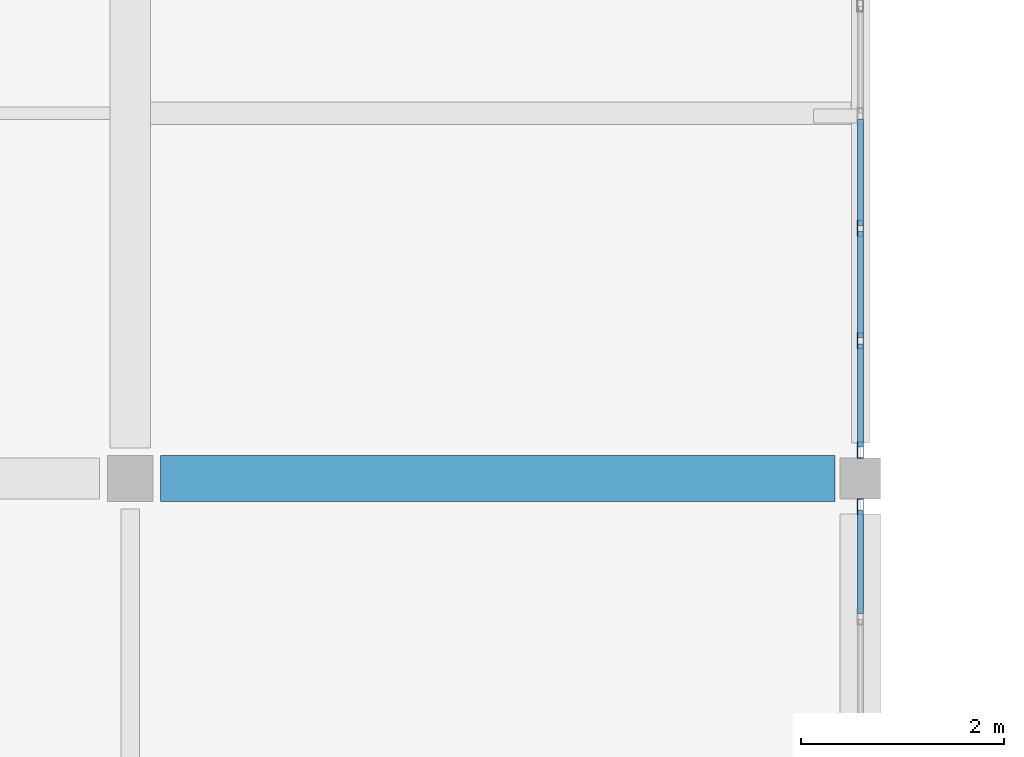
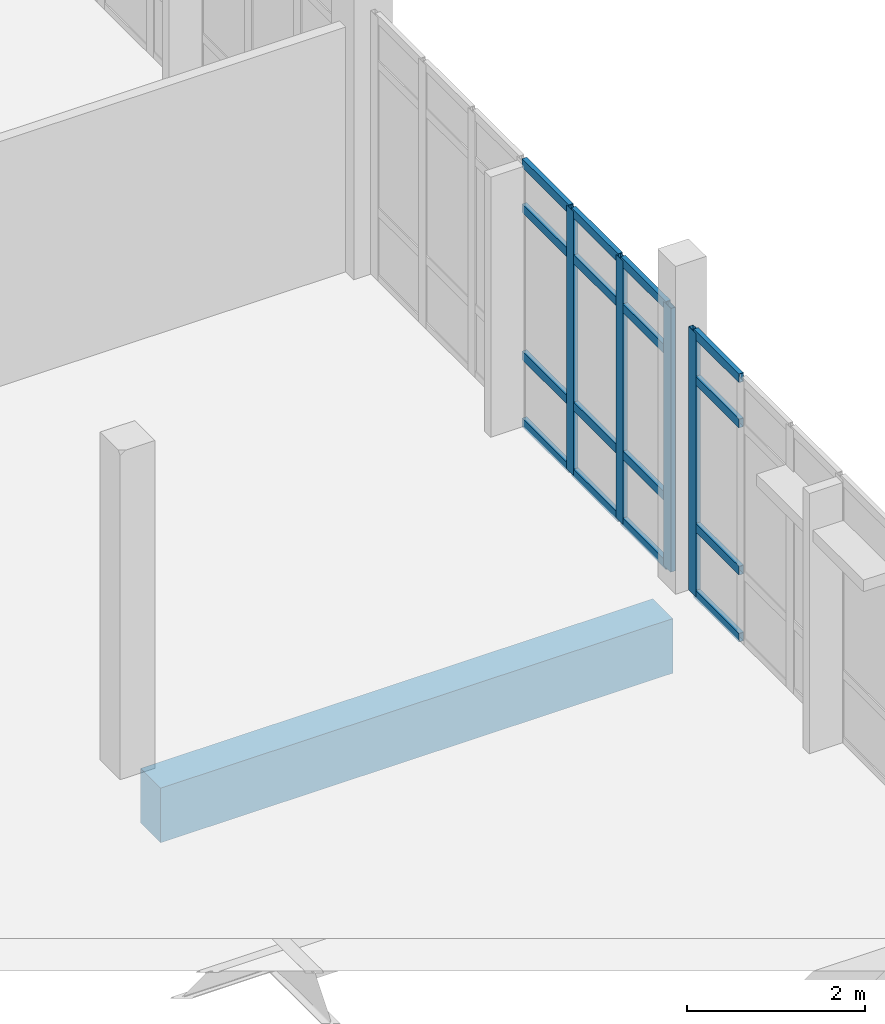
# One storey, part 12 of 62: 20 members, 1 beam, 2 elements without a shape of their own.
"""IFC4 building model written with IfcOpenShell, lengths in metres."""

from ifc_helpers import new_model, si_unit, direction, frame, origin, origin_2d, place, context, subcontext, project, spatial, rectangle, hollow_rectangle, extrude, material, material_profile, profile_set, type_object, element, aggregate, save


model = new_model("IFC4")

# Units and contexts
model_context = context("Model", 3, precision=1e-05, world=origin(), true_north=direction((0.0, 1.0)))
body_context = subcontext(model_context, "Body", "Model", "MODEL_VIEW")
ifc_project = project(units=[si_unit("LENGTHUNIT", "METRE"), si_unit("AREAUNIT", "SQUARE_METRE"), si_unit("VOLUMEUNIT", "CUBIC_METRE"), si_unit("PLANEANGLEUNIT", "RADIAN"), si_unit("MASSUNIT", "GRAM", prefix="KILO")], contexts=[model_context])

# Site, building, storey
site_placement = place(None, origin())
site = spatial("IfcSite", under=ifc_project, at=site_placement, CompositionType="ELEMENT")
building_placement = place(site_placement, origin())
building = spatial("IfcBuilding", under=site, at=building_placement, Name="Kalluvel Institute of Natural Sciences", CompositionType="ELEMENT")
storey_placement = place(building_placement, frame((0.0, 0.0, 27.89990234375)))
storey = spatial("IfcBuildingStorey", under=building, at=storey_placement, Name="L06", CompositionType="ELEMENT", Elevation=27.89990234375)

# Beam
ifc_material_1 = material(Name="Concrete M40", Category="concrete")
ifc_material_profile_1 = material_profile(ifc_material_1, rectangle(XDim=0.449951171875, YDim=0.75, at=origin_2d()), Name="RCB 450x750")
ifc_profile_set_1 = profile_set([ifc_material_profile_1], Name="Concrete M40")
beam_type = type_object("IfcBeamType", Name="BM-RC450x750", PredefinedType="BEAM", material=ifc_profile_set_1)
beam_placement = place(storey_placement, frame((28.699951171875, 57.199951171875, -0.6748046875), z_axis=(1.0, 0.0, 0.0), x_axis=(0.0, 1.0, 0.0)))
element("IfcBeam", 1, at=beam_placement, inside=storey, type_object=beam_type, Name="L06 girder GIR-L06-EW-X284-Y572", PredefinedType="BEAM", context=body_context, shape_type="SweptSolid", body=[
    extrude(rectangle(XDim=0.449951171875, YDim=0.75, at=origin_2d()), origin(), (0.0, 0.0, 1.0), 6.650146484375),
])

# Curtain wall, member
ifc_material_2 = material(Name="Aluminium AW-6063 T6", Category="aluminium")
curtain_wall_type = type_object("IfcCurtainWallType", Name="CW-DRY-45", PredefinedType="USERDEFINED", material=ifc_material_2)
curtain_wall_1_placement = place(storey_placement, origin())
curtain_wall_1 = element("IfcCurtainWall", 2, at=curtain_wall_1_placement, inside=storey, type_object=curtain_wall_type, Name="L06 Gothic lancet curtain wall CWA-L06-X356-Y503", ObjectType="UNITISED LANCET FACADE", PredefinedType="USERDEFINED")
ifc_material_profile_2 = material_profile(ifc_material_2, hollow_rectangle(XDim=0.06005859375, YDim=0.159912109375, WallThickness=0.00390625, at=origin_2d()), Name="CWM 60x160")
ifc_profile_set_2 = profile_set([ifc_material_profile_2], Name="Aluminium AW-6063 T6")
member_type_1 = type_object("IfcMemberType", Name="CWM-60x160", PredefinedType="MULLION", material=ifc_profile_set_2)
member_1_placement = place(storey_placement, frame((35.60009765625, 56.919921875, 0.0), z_axis=(0.0, 0.0, 1.0), x_axis=(-1.0, 0.0, 0.0)))
member_1 = element("IfcMember", 3, at=member_1_placement, type_object=member_type_1, Name="CW-03 mullion 7", PredefinedType="MULLION", context=body_context, shape_type="SweptSolid", body=[
    extrude(hollow_rectangle(XDim=0.06005859375, YDim=0.159912109375, WallThickness=0.00390625, at=origin_2d()), origin(), (0.0, 0.0, 1.0), 3.6201171875),
])

# Curtain wall, members
curtain_wall_2_placement = place(storey_placement, origin())
curtain_wall_2 = element("IfcCurtainWall", 4, at=curtain_wall_2_placement, inside=storey, type_object=curtain_wall_type, Name="L06 Gothic lancet curtain wall CWA-L06-X356-Y574", ObjectType="UNITISED LANCET FACADE", PredefinedType="USERDEFINED")
member_2_placement = place(storey_placement, frame((35.60009765625, 57.47998046875, 0.0), z_axis=(0.0, 0.0, 1.0), x_axis=(-1.0, 0.0, 0.0)))
member_2 = element("IfcMember", 5, at=member_2_placement, type_object=member_type_1, Name="CW-03 mullion 1", PredefinedType="MULLION", context=body_context, shape_type="SweptSolid", body=[
    extrude(hollow_rectangle(XDim=0.06005859375, YDim=0.159912109375, WallThickness=0.00390625, at=origin_2d()), origin(), (0.0, 0.0, 1.0), 3.6201171875),
])
member_3_placement = place(storey_placement, frame((35.60009765625, 58.558349609375, 0.0), z_axis=(0.0, 0.0, 1.0), x_axis=(-1.0, 0.0, 0.0)))
member_3 = element("IfcMember", 6, at=member_3_placement, type_object=member_type_1, Name="CW-03 mullion 2", PredefinedType="MULLION", context=body_context, shape_type="SweptSolid", body=[
    extrude(hollow_rectangle(XDim=0.06005859375, YDim=0.159912109375, WallThickness=0.00390625, at=origin_2d()), origin(), (0.0, 0.0, 1.0), 3.6201171875),
])
member_4_placement = place(storey_placement, frame((35.60009765625, 59.666748046875, 0.0), z_axis=(0.0, 0.0, 1.0), x_axis=(-1.0, 0.0, 0.0)))
member_4 = element("IfcMember", 7, at=member_4_placement, type_object=member_type_1, Name="CW-03 mullion 3", PredefinedType="MULLION", context=body_context, shape_type="SweptSolid", body=[
    extrude(hollow_rectangle(XDim=0.06005859375, YDim=0.159912109375, WallThickness=0.00390625, at=origin_2d()), origin(), (0.0, 0.0, 1.0), 3.6201171875),
])

# Member
ifc_material_profile_3 = material_profile(ifc_material_2, hollow_rectangle(XDim=0.06005859375, YDim=0.1201171875, WallThickness=0.00390625, at=origin_2d()), Name="CWT 60x120")
ifc_profile_set_3 = profile_set([ifc_material_profile_3], Name="Aluminium AW-6063 T6")
member_type_2 = type_object("IfcMemberType", Name="CWT-60x120", PredefinedType="USERDEFINED", material=ifc_profile_set_3)
member_5_placement = place(storey_placement, frame((35.60009765625, 55.867431640625, 0.030029296875), z_axis=(0.0, 1.0, 0.0), x_axis=(-1.0, 0.0, 0.0)))
member_5 = element("IfcMember", 8, at=member_5_placement, type_object=member_type_2, Name="CW-03 transom 6.1", ObjectType="TRANSOM", PredefinedType="USERDEFINED", context=body_context, shape_type="SweptSolid", body=[
    extrude(hollow_rectangle(XDim=0.06005859375, YDim=0.1201171875, WallThickness=0.00390625, at=origin_2d()), origin(), (0.0, 0.0, 1.0), 1.0224609375),
])

member_6_placement = place(storey_placement, frame((35.60009765625, 55.867431640625, 0.9501953125), z_axis=(0.0, 1.0, 0.0), x_axis=(-1.0, 0.0, 0.0)))
member_6 = element("IfcMember", 9, at=member_6_placement, type_object=member_type_2, Name="CW-03 transom 6.2", ObjectType="TRANSOM", PredefinedType="USERDEFINED", context=body_context, shape_type="SweptSolid", body=[
    extrude(hollow_rectangle(XDim=0.06005859375, YDim=0.1201171875, WallThickness=0.00390625, at=origin_2d()), origin(), (0.0, 0.0, 1.0), 1.0224609375),
])

member_7_placement = place(storey_placement, frame((35.60009765625, 55.867431640625, 2.97021484375), z_axis=(0.0, 1.0, 0.0), x_axis=(-1.0, 0.0, 0.0)))
member_7 = element("IfcMember", 10, at=member_7_placement, type_object=member_type_2, Name="CW-03 transom 6.3", ObjectType="TRANSOM", PredefinedType="USERDEFINED", context=body_context, shape_type="SweptSolid", body=[
    extrude(hollow_rectangle(XDim=0.06005859375, YDim=0.1201171875, WallThickness=0.00390625, at=origin_2d()), origin(), (0.0, 0.0, 1.0), 1.0224609375),
])

member_8_placement = place(storey_placement, frame((35.60009765625, 55.867431640625, 3.590087890625), z_axis=(0.0, 1.0, 0.0), x_axis=(-1.0, 0.0, 0.0)))
member_8 = element("IfcMember", 11, at=member_8_placement, type_object=member_type_2, Name="CW-03 transom 6.4", ObjectType="TRANSOM", PredefinedType="USERDEFINED", context=body_context, shape_type="SweptSolid", body=[
    extrude(hollow_rectangle(XDim=0.06005859375, YDim=0.1201171875, WallThickness=0.00390625, at=origin_2d()), origin(), (0.0, 0.0, 1.0), 1.0224609375),
])

aggregate(curtain_wall_1, [member_1, member_5, member_6, member_7, member_8])

member_9_placement = place(storey_placement, frame((35.60009765625, 57.510009765625, 0.030029296875), z_axis=(0.0, 1.0, 0.0), x_axis=(-1.0, 0.0, 0.0)))
member_9 = element("IfcMember", 12, at=member_9_placement, type_object=member_type_2, Name="CW-03 transom 1.1", ObjectType="TRANSOM", PredefinedType="USERDEFINED", context=body_context, shape_type="SweptSolid", body=[
    extrude(hollow_rectangle(XDim=0.06005859375, YDim=0.1201171875, WallThickness=0.00390625, at=origin_2d()), origin(), (0.0, 0.0, 1.0), 1.018310546875),
])

member_10_placement = place(storey_placement, frame((35.60009765625, 57.510009765625, 0.9501953125), z_axis=(0.0, 1.0, 0.0), x_axis=(-1.0, 0.0, 0.0)))
member_10 = element("IfcMember", 13, at=member_10_placement, type_object=member_type_2, Name="CW-03 transom 1.2", ObjectType="TRANSOM", PredefinedType="USERDEFINED", context=body_context, shape_type="SweptSolid", body=[
    extrude(hollow_rectangle(XDim=0.06005859375, YDim=0.1201171875, WallThickness=0.00390625, at=origin_2d()), origin(), (0.0, 0.0, 1.0), 1.018310546875),
])

member_11_placement = place(storey_placement, frame((35.60009765625, 57.510009765625, 2.97021484375), z_axis=(0.0, 1.0, 0.0), x_axis=(-1.0, 0.0, 0.0)))
member_11 = element("IfcMember", 14, at=member_11_placement, type_object=member_type_2, Name="CW-03 transom 1.3", ObjectType="TRANSOM", PredefinedType="USERDEFINED", context=body_context, shape_type="SweptSolid", body=[
    extrude(hollow_rectangle(XDim=0.06005859375, YDim=0.1201171875, WallThickness=0.00390625, at=origin_2d()), origin(), (0.0, 0.0, 1.0), 1.018310546875),
])

member_12_placement = place(storey_placement, frame((35.60009765625, 57.510009765625, 3.590087890625), z_axis=(0.0, 1.0, 0.0), x_axis=(-1.0, 0.0, 0.0)))
member_12 = element("IfcMember", 15, at=member_12_placement, type_object=member_type_2, Name="CW-03 transom 1.4", ObjectType="TRANSOM", PredefinedType="USERDEFINED", context=body_context, shape_type="SweptSolid", body=[
    extrude(hollow_rectangle(XDim=0.06005859375, YDim=0.1201171875, WallThickness=0.00390625, at=origin_2d()), origin(), (0.0, 0.0, 1.0), 1.018310546875),
])

member_13_placement = place(storey_placement, frame((35.60009765625, 58.58837890625, 0.030029296875), z_axis=(0.0, 1.0, 0.0), x_axis=(-1.0, 0.0, 0.0)))
member_13 = element("IfcMember", 16, at=member_13_placement, type_object=member_type_2, Name="CW-03 transom 2.1", ObjectType="TRANSOM", PredefinedType="USERDEFINED", context=body_context, shape_type="SweptSolid", body=[
    extrude(hollow_rectangle(XDim=0.06005859375, YDim=0.1201171875, WallThickness=0.00390625, at=origin_2d()), origin(), (0.0, 0.0, 1.0), 1.04833984375),
])

member_14_placement = place(storey_placement, frame((35.60009765625, 58.58837890625, 0.9501953125), z_axis=(0.0, 1.0, 0.0), x_axis=(-1.0, 0.0, 0.0)))
member_14 = element("IfcMember", 17, at=member_14_placement, type_object=member_type_2, Name="CW-03 transom 2.2", ObjectType="TRANSOM", PredefinedType="USERDEFINED", context=body_context, shape_type="SweptSolid", body=[
    extrude(hollow_rectangle(XDim=0.06005859375, YDim=0.1201171875, WallThickness=0.00390625, at=origin_2d()), origin(), (0.0, 0.0, 1.0), 1.04833984375),
])

member_15_placement = place(storey_placement, frame((35.60009765625, 58.58837890625, 2.97021484375), z_axis=(0.0, 1.0, 0.0), x_axis=(-1.0, 0.0, 0.0)))
member_15 = element("IfcMember", 18, at=member_15_placement, type_object=member_type_2, Name="CW-03 transom 2.3", ObjectType="TRANSOM", PredefinedType="USERDEFINED", context=body_context, shape_type="SweptSolid", body=[
    extrude(hollow_rectangle(XDim=0.06005859375, YDim=0.1201171875, WallThickness=0.00390625, at=origin_2d()), origin(), (0.0, 0.0, 1.0), 1.04833984375),
])

member_16_placement = place(storey_placement, frame((35.60009765625, 58.58837890625, 3.590087890625), z_axis=(0.0, 1.0, 0.0), x_axis=(-1.0, 0.0, 0.0)))
member_16 = element("IfcMember", 19, at=member_16_placement, type_object=member_type_2, Name="CW-03 transom 2.4", ObjectType="TRANSOM", PredefinedType="USERDEFINED", context=body_context, shape_type="SweptSolid", body=[
    extrude(hollow_rectangle(XDim=0.06005859375, YDim=0.1201171875, WallThickness=0.00390625, at=origin_2d()), origin(), (0.0, 0.0, 1.0), 1.04833984375),
])

member_17_placement = place(storey_placement, frame((35.60009765625, 59.69677734375, 0.030029296875), z_axis=(0.0, 1.0, 0.0), x_axis=(-1.0, 0.0, 0.0)))
member_17 = element("IfcMember", 20, at=member_17_placement, type_object=member_type_2, Name="CW-03 transom 3.1", ObjectType="TRANSOM", PredefinedType="USERDEFINED", context=body_context, shape_type="SweptSolid", body=[
    extrude(hollow_rectangle(XDim=0.06005859375, YDim=0.1201171875, WallThickness=0.00390625, at=origin_2d()), origin(), (0.0, 0.0, 1.0), 1.04833984375),
])

member_18_placement = place(storey_placement, frame((35.60009765625, 59.69677734375, 0.9501953125), z_axis=(0.0, 1.0, 0.0), x_axis=(-1.0, 0.0, 0.0)))
member_18 = element("IfcMember", 21, at=member_18_placement, type_object=member_type_2, Name="CW-03 transom 3.2", ObjectType="TRANSOM", PredefinedType="USERDEFINED", context=body_context, shape_type="SweptSolid", body=[
    extrude(hollow_rectangle(XDim=0.06005859375, YDim=0.1201171875, WallThickness=0.00390625, at=origin_2d()), origin(), (0.0, 0.0, 1.0), 1.04833984375),
])

member_19_placement = place(storey_placement, frame((35.60009765625, 59.69677734375, 2.97021484375), z_axis=(0.0, 1.0, 0.0), x_axis=(-1.0, 0.0, 0.0)))
member_19 = element("IfcMember", 22, at=member_19_placement, type_object=member_type_2, Name="CW-03 transom 3.3", ObjectType="TRANSOM", PredefinedType="USERDEFINED", context=body_context, shape_type="SweptSolid", body=[
    extrude(hollow_rectangle(XDim=0.06005859375, YDim=0.1201171875, WallThickness=0.00390625, at=origin_2d()), origin(), (0.0, 0.0, 1.0), 1.04833984375),
])

member_20_placement = place(storey_placement, frame((35.60009765625, 59.69677734375, 3.590087890625), z_axis=(0.0, 1.0, 0.0), x_axis=(-1.0, 0.0, 0.0)))
member_20 = element("IfcMember", 23, at=member_20_placement, type_object=member_type_2, Name="CW-03 transom 3.4", ObjectType="TRANSOM", PredefinedType="USERDEFINED", context=body_context, shape_type="SweptSolid", body=[
    extrude(hollow_rectangle(XDim=0.06005859375, YDim=0.1201171875, WallThickness=0.00390625, at=origin_2d()), origin(), (0.0, 0.0, 1.0), 1.04833984375),
])

aggregate(curtain_wall_2, [member_2, member_3, member_4, member_9, member_10, member_11, member_12, member_13, member_14, member_15, member_16, member_17, member_18, member_19, member_20])

save(model, "model.ifc")
